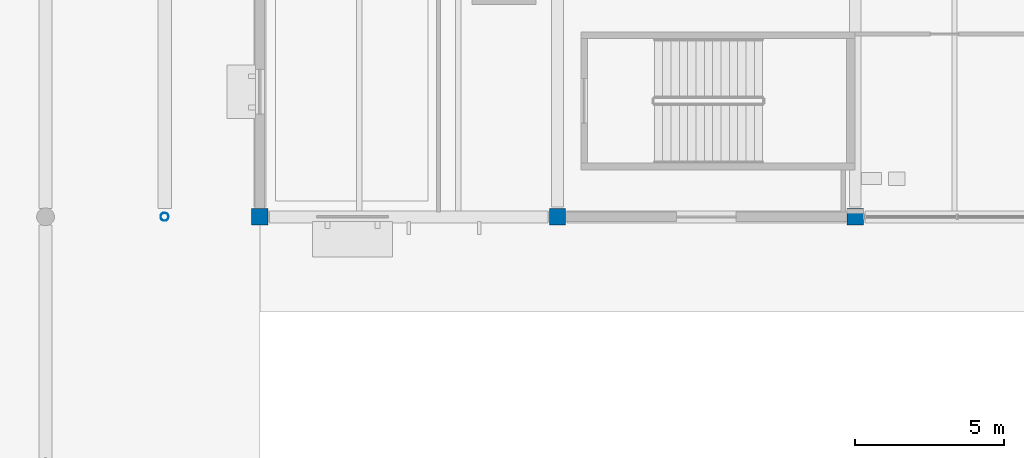
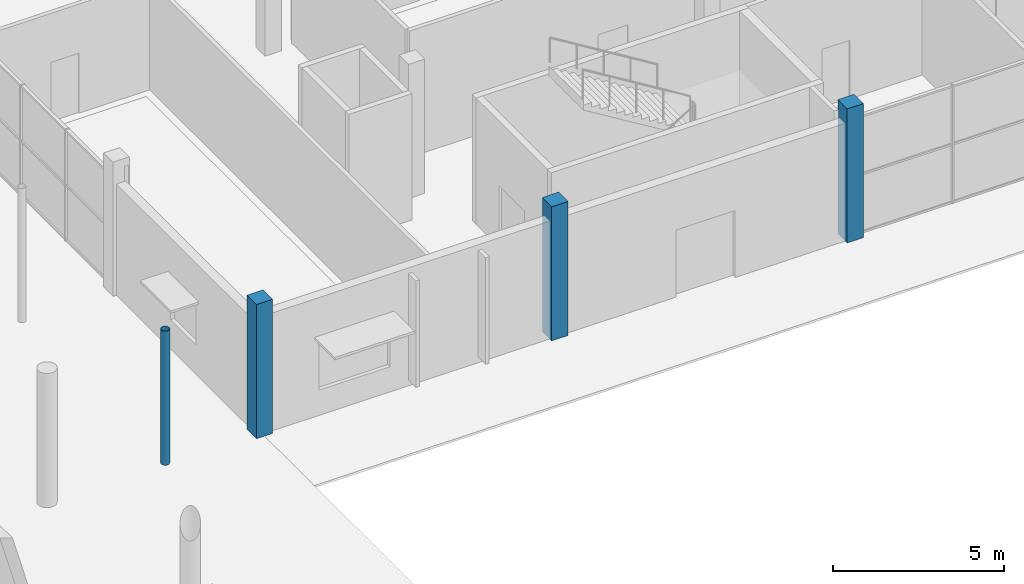
# One storey, part 2 of 130: 4 columns.
"""IFC4 building model written with IfcOpenShell, lengths in metres."""

from ifc_helpers import new_model, si_unit, direction, frame, origin, origin_2d, place, context, subcontext, project, spatial, rectangle, hollow_circle, extrude, material, material_profile, profile_set, type_object, element, save


model = new_model("IFC4")

# Units and contexts
model_context = context("Model", 3, precision=1e-05, world=origin(), true_north=direction((0.0, 1.0)))
body_context = subcontext(model_context, "Body", "Model", "MODEL_VIEW")
ifc_project = project(units=[si_unit("LENGTHUNIT", "METRE"), si_unit("AREAUNIT", "SQUARE_METRE"), si_unit("VOLUMEUNIT", "CUBIC_METRE"), si_unit("PLANEANGLEUNIT", "RADIAN"), si_unit("MASSUNIT", "GRAM", prefix="KILO"), si_unit("THERMODYNAMICTEMPERATUREUNIT", "KELVIN")], contexts=[model_context])

# Site, building, storey
site_placement = place(None, origin())
site = spatial("IfcSite", under=ifc_project, at=site_placement, CompositionType="ELEMENT")
building_placement = place(site_placement, origin())
building = spatial("IfcBuilding", under=site, at=building_placement, Name="Nduvali Passage Aquatics Centre", CompositionType="ELEMENT")
storey_placement = place(building_placement, origin())
storey = spatial("IfcBuildingStorey", under=building, at=storey_placement, Name="L00", CompositionType="ELEMENT", Elevation=0.0)

# Columns
ifc_material_1 = material(Name="Concrete C40/50", Category="concrete")
ifc_material_profile_1 = material_profile(ifc_material_1, rectangle(XDim=0.550048828125, YDim=0.550048828125, at=origin_2d()), Name="RC 550x550")
ifc_profile_set_1 = profile_set([ifc_material_profile_1], Name="Concrete C40/50")
column_type_1 = type_object("IfcColumnType", Name="STR-COL-RC550-EXT", PredefinedType="COLUMN", material=ifc_profile_set_1)
for number, where, z_axis, x_axis, name in (
    (1, (138.0, 25.199951171875, 0.0), (0.0, 0.0, 1.0), (1.0, 0.0, 0.0), "L00 Column C4E (138.0, 25.2)"),
    (2, (148.0, 25.199951171875, 0.0), (0.0, 0.0, 1.0), (1.0, 0.0, 0.0), "L00 Column C4E (148.0, 25.2)"),
    (3, (158.0, 25.199951171875, 0.0), (0.0, 0.0, 1.0), (1.0, 0.0, 0.0), "L00 Column C4E (158.0, 25.2)"),
):
    element("IfcColumn", number, at=place(storey_placement, frame(where, z_axis=z_axis, x_axis=x_axis)), inside=storey, type_object=column_type_1, Name=name, PredefinedType="COLUMN", context=body_context, shape_type="SweptSolid", body=[
        extrude(rectangle(XDim=0.550048828125, YDim=0.550048828125, at=origin_2d()), origin(), (0.0, 0.0, 1.0), 4.800048828125),
    ])
ifc_material_2 = material(Name="Steel S355", Category="steel")
ifc_material_profile_2 = material_profile(ifc_material_2, hollow_circle(Radius=0.136474609375, WallThickness=0.010009765625, at=origin_2d()), Name="CHS 273.0x10.0")
ifc_profile_set_2 = profile_set([ifc_material_profile_2], Name="Steel S355")
column_type_2 = type_object("IfcColumnType", Name="STR-PIL-CHS273-EXT", PredefinedType="PILASTER", material=ifc_profile_set_2)
column_placement = place(storey_placement, frame((134.800048828125, 25.199951171875, 0.0), z_axis=(0.0, 0.0, 1.0), x_axis=(1.0, 0.0, 0.0)))
element("IfcColumn", 4, at=column_placement, inside=storey, type_object=column_type_2, Name="L00 Column CP2E (134.8, 25.2)", PredefinedType="PILASTER", context=body_context, shape_type="SweptSolid", body=[
    extrude(hollow_circle(Radius=0.136474609375, WallThickness=0.010009765625, at=origin_2d()), origin(), (0.0, 0.0, 1.0), 4.800048828125),
])

save(model, "model.ifc")
